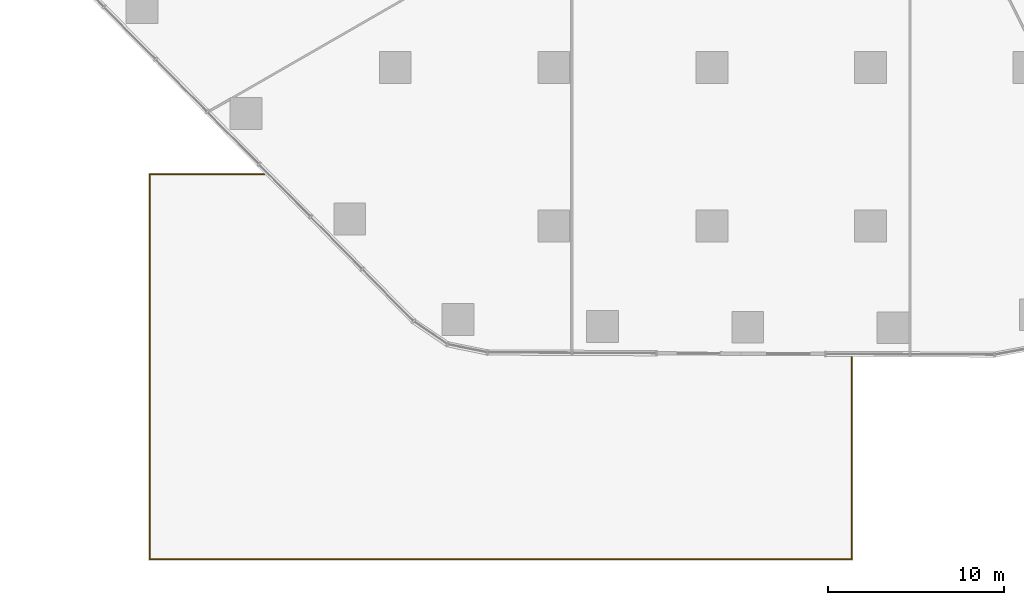
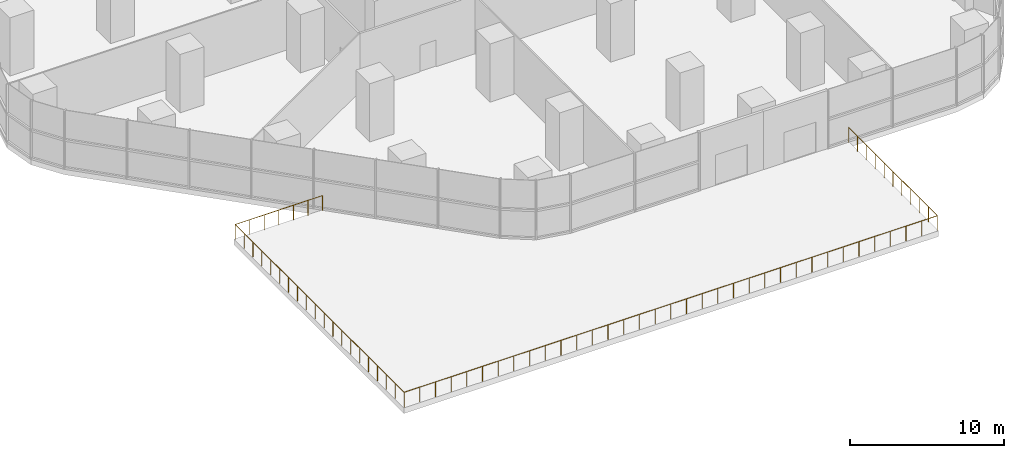
# One storey, part 14 of 15: 1 railing.
"""IFC4 building model written with IfcOpenShell, lengths in metres."""

from ifc_helpers import new_model, si_unit, direction, frame, origin, origin_2d, place, context, subcontext, project, spatial, circle, extrude, material, type_object, element, save


model = new_model("IFC4")

# Units and contexts
model_context = context("Model", 3, precision=1e-05, world=origin(), true_north=direction((0.0, 1.0)))
body_context = subcontext(model_context, "Body", "Model", "MODEL_VIEW")
ifc_project = project(units=[si_unit("LENGTHUNIT", "METRE"), si_unit("AREAUNIT", "SQUARE_METRE"), si_unit("VOLUMEUNIT", "CUBIC_METRE"), si_unit("PLANEANGLEUNIT", "RADIAN"), si_unit("MASSUNIT", "GRAM", prefix="KILO")], contexts=[model_context])

# Site, building, storey
site_placement = place(None, origin())
site = spatial("IfcSite", under=ifc_project, at=site_placement, CompositionType="ELEMENT")
building_placement = place(site_placement, origin())
building = spatial("IfcBuilding", under=site, at=building_placement, Name="Dongbaek Canopy Tower", CompositionType="ELEMENT")
storey_placement = place(building_placement, frame((0.0, 0.0, 33.0)))
storey = spatial("IfcBuildingStorey", under=building, at=storey_placement, Name="L04", CompositionType="ELEMENT", Elevation=33.0)

# Railing
ifc_material = material(Name="Stainless steel", Category="steel")
railing_type = type_object("IfcRailingType", Name="Terrace guard 1200", PredefinedType="GUARDRAIL", material=ifc_material)
railing_placement = place(storey_placement, frame((7.93994140625, -34.43994140625, 0.0)))
element("IfcRailing", 1, at=railing_placement, inside=storey, type_object=railing_type, Name="Terrace guard L04 1", PredefinedType="GUARDRAIL", context=body_context, shape_type="SweptSolid", body=[
    extrude(circle(Radius=0.02392578125, at=origin_2d()), frame((0.0, 0.0, 1.17578125), z_axis=(0.0, -1.0, 0.0), x_axis=(1.0, 0.0, 0.0)), (0.0, 0.0, 1.0), 11.5),
    extrude(circle(Radius=0.02392578125, at=origin_2d()), frame((0.0, -11.5, 1.17578125), z_axis=(-1.0, 0.0, 0.0), x_axis=(0.0, -1.0, 0.0)), (0.0, 0.0, 1.0), 39.8798828125),
    extrude(circle(Radius=0.02392578125, at=origin_2d()), frame((-39.8798828125, -11.5, 1.17578125), z_axis=(0.0, 1.0, 0.0), x_axis=(-1.0, 0.0, 0.0)), (0.0, 0.0, 1.0), 21.8798828125),
    extrude(circle(Radius=0.02392578125, at=origin_2d()), frame((-39.8798828125, 10.3798828125, 1.17578125), z_axis=(1.0, 0.0, 0.0), x_axis=(0.0, 1.0, 0.0)), (0.0, 0.0, 1.0), 6.53271484375),
    extrude(circle(Radius=0.02099609375, at=origin_2d()), origin(), (0.0, 0.0, 1.0), 1.15185546875),
    extrude(circle(Radius=0.02099609375, at=origin_2d()), frame((0.0, -1.14990234375, 0.0)), (0.0, 0.0, 1.0), 1.15185546875),
    extrude(circle(Radius=0.02099609375, at=origin_2d()), frame((0.0, -2.300048828125, 0.0)), (0.0, 0.0, 1.0), 1.15185546875),
    extrude(circle(Radius=0.02099609375, at=origin_2d()), frame((0.0, -3.449951171875, 0.0)), (0.0, 0.0, 1.0), 1.15185546875),
    extrude(circle(Radius=0.02099609375, at=origin_2d()), frame((0.0, -4.60009765625, 0.0)), (0.0, 0.0, 1.0), 1.15185546875),
    extrude(circle(Radius=0.02099609375, at=origin_2d()), frame((0.0, -5.75, 0.0)), (0.0, 0.0, 1.0), 1.15185546875),
    extrude(circle(Radius=0.02099609375, at=origin_2d()), frame((0.0, -6.89990234375, 0.0)), (0.0, 0.0, 1.0), 1.15185546875),
    extrude(circle(Radius=0.02099609375, at=origin_2d()), frame((0.0, -8.050048828125, 0.0)), (0.0, 0.0, 1.0), 1.15185546875),
    extrude(circle(Radius=0.02099609375, at=origin_2d()), frame((0.0, -9.199951171875, 0.0)), (0.0, 0.0, 1.0), 1.15185546875),
    extrude(circle(Radius=0.02099609375, at=origin_2d()), frame((0.0, -10.35009765625, 0.0)), (0.0, 0.0, 1.0), 1.15185546875),
    extrude(circle(Radius=0.02099609375, at=origin_2d()), frame((0.0, -11.5, 0.0)), (0.0, 0.0, 1.0), 1.15185546875),
    extrude(circle(Radius=0.02099609375, at=origin_2d()), frame((-1.1728515625, -11.5, 0.0)), (0.0, 0.0, 1.0), 1.15185546875),
    extrude(circle(Radius=0.02099609375, at=origin_2d()), frame((-2.345947265625, -11.5, 0.0)), (0.0, 0.0, 1.0), 1.15185546875),
    extrude(circle(Radius=0.02099609375, at=origin_2d()), frame((-3.518798828125, -11.5, 0.0)), (0.0, 0.0, 1.0), 1.15185546875),
    extrude(circle(Radius=0.02099609375, at=origin_2d()), frame((-4.691650390625, -11.5, 0.0)), (0.0, 0.0, 1.0), 1.15185546875),
    extrude(circle(Radius=0.02099609375, at=origin_2d()), frame((-5.86474609375, -11.5, 0.0)), (0.0, 0.0, 1.0), 1.15185546875),
    extrude(circle(Radius=0.02099609375, at=origin_2d()), frame((-7.03759765625, -11.5, 0.0)), (0.0, 0.0, 1.0), 1.15185546875),
    extrude(circle(Radius=0.02099609375, at=origin_2d()), frame((-8.21044921875, -11.5, 0.0)), (0.0, 0.0, 1.0), 1.15185546875),
    extrude(circle(Radius=0.02099609375, at=origin_2d()), frame((-9.383544921875, -11.5, 0.0)), (0.0, 0.0, 1.0), 1.15185546875),
    extrude(circle(Radius=0.02099609375, at=origin_2d()), frame((-10.556396484375, -11.5, 0.0)), (0.0, 0.0, 1.0), 1.15185546875),
    extrude(circle(Radius=0.02099609375, at=origin_2d()), frame((-11.7294921875, -11.5, 0.0)), (0.0, 0.0, 1.0), 1.15185546875),
    extrude(circle(Radius=0.02099609375, at=origin_2d()), frame((-12.90234375, -11.5, 0.0)), (0.0, 0.0, 1.0), 1.15185546875),
    extrude(circle(Radius=0.02099609375, at=origin_2d()), frame((-14.0751953125, -11.5, 0.0)), (0.0, 0.0, 1.0), 1.15185546875),
    extrude(circle(Radius=0.02099609375, at=origin_2d()), frame((-15.248291015625, -11.5, 0.0)), (0.0, 0.0, 1.0), 1.15185546875),
    extrude(circle(Radius=0.02099609375, at=origin_2d()), frame((-16.421142578125, -11.5, 0.0)), (0.0, 0.0, 1.0), 1.15185546875),
    extrude(circle(Radius=0.02099609375, at=origin_2d()), frame((-17.593994140625, -11.5, 0.0)), (0.0, 0.0, 1.0), 1.15185546875),
    extrude(circle(Radius=0.02099609375, at=origin_2d()), frame((-18.76708984375, -11.5, 0.0)), (0.0, 0.0, 1.0), 1.15185546875),
    extrude(circle(Radius=0.02099609375, at=origin_2d()), frame((-19.93994140625, -11.5, 0.0)), (0.0, 0.0, 1.0), 1.15185546875),
    extrude(circle(Radius=0.02099609375, at=origin_2d()), frame((-21.11279296875, -11.5, 0.0)), (0.0, 0.0, 1.0), 1.15185546875),
    extrude(circle(Radius=0.02099609375, at=origin_2d()), frame((-22.285888671875, -11.5, 0.0)), (0.0, 0.0, 1.0), 1.15185546875),
    extrude(circle(Radius=0.02099609375, at=origin_2d()), frame((-23.458740234375, -11.5, 0.0)), (0.0, 0.0, 1.0), 1.15185546875),
    extrude(circle(Radius=0.02099609375, at=origin_2d()), frame((-24.631591796875, -11.5, 0.0)), (0.0, 0.0, 1.0), 1.15185546875),
    extrude(circle(Radius=0.02099609375, at=origin_2d()), frame((-25.8046875, -11.5, 0.0)), (0.0, 0.0, 1.0), 1.15185546875),
    extrude(circle(Radius=0.02099609375, at=origin_2d()), frame((-26.9775390625, -11.5, 0.0)), (0.0, 0.0, 1.0), 1.15185546875),
    extrude(circle(Radius=0.02099609375, at=origin_2d()), frame((-28.150390625, -11.5, 0.0)), (0.0, 0.0, 1.0), 1.15185546875),
    extrude(circle(Radius=0.02099609375, at=origin_2d()), frame((-29.323486328125, -11.5, 0.0)), (0.0, 0.0, 1.0), 1.15185546875),
    extrude(circle(Radius=0.02099609375, at=origin_2d()), frame((-30.496337890625, -11.5, 0.0)), (0.0, 0.0, 1.0), 1.15185546875),
    extrude(circle(Radius=0.02099609375, at=origin_2d()), frame((-31.66943359375, -11.5, 0.0)), (0.0, 0.0, 1.0), 1.15185546875),
    extrude(circle(Radius=0.02099609375, at=origin_2d()), frame((-32.84228515625, -11.5, 0.0)), (0.0, 0.0, 1.0), 1.15185546875),
    extrude(circle(Radius=0.02099609375, at=origin_2d()), frame((-34.01513671875, -11.5, 0.0)), (0.0, 0.0, 1.0), 1.15185546875),
    extrude(circle(Radius=0.02099609375, at=origin_2d()), frame((-35.188232421875, -11.5, 0.0)), (0.0, 0.0, 1.0), 1.15185546875),
    extrude(circle(Radius=0.02099609375, at=origin_2d()), frame((-36.361083984375, -11.5, 0.0)), (0.0, 0.0, 1.0), 1.15185546875),
    extrude(circle(Radius=0.02099609375, at=origin_2d()), frame((-37.533935546875, -11.5, 0.0)), (0.0, 0.0, 1.0), 1.15185546875),
    extrude(circle(Radius=0.02099609375, at=origin_2d()), frame((-38.70703125, -11.5, 0.0)), (0.0, 0.0, 1.0), 1.15185546875),
    extrude(circle(Radius=0.02099609375, at=origin_2d()), frame((-39.8798828125, -11.5, 0.0)), (0.0, 0.0, 1.0), 1.15185546875),
    extrude(circle(Radius=0.02099609375, at=origin_2d()), frame((-39.8798828125, -10.348388671875, 0.0)), (0.0, 0.0, 1.0), 1.15185546875),
    extrude(circle(Radius=0.02099609375, at=origin_2d()), frame((-39.8798828125, -9.19677734375, 0.0)), (0.0, 0.0, 1.0), 1.15185546875),
    extrude(circle(Radius=0.02099609375, at=origin_2d()), frame((-39.8798828125, -8.045166015625, 0.0)), (0.0, 0.0, 1.0), 1.15185546875),
    extrude(circle(Radius=0.02099609375, at=origin_2d()), frame((-39.8798828125, -6.893798828125, 0.0)), (0.0, 0.0, 1.0), 1.15185546875),
    extrude(circle(Radius=0.02099609375, at=origin_2d()), frame((-39.8798828125, -5.7421875, 0.0)), (0.0, 0.0, 1.0), 1.15185546875),
    extrude(circle(Radius=0.02099609375, at=origin_2d()), frame((-39.8798828125, -4.590576171875, 0.0)), (0.0, 0.0, 1.0), 1.15185546875),
    extrude(circle(Radius=0.02099609375, at=origin_2d()), frame((-39.8798828125, -3.43896484375, 0.0)), (0.0, 0.0, 1.0), 1.15185546875),
    extrude(circle(Radius=0.02099609375, at=origin_2d()), frame((-39.8798828125, -2.287353515625, 0.0)), (0.0, 0.0, 1.0), 1.15185546875),
    extrude(circle(Radius=0.02099609375, at=origin_2d()), frame((-39.8798828125, -1.1357421875, 0.0)), (0.0, 0.0, 1.0), 1.15185546875),
    extrude(circle(Radius=0.02099609375, at=origin_2d()), frame((-39.8798828125, 0.015625, 0.0)), (0.0, 0.0, 1.0), 1.15185546875),
    extrude(circle(Radius=0.02099609375, at=origin_2d()), frame((-39.8798828125, 1.167236328125, 0.0)), (0.0, 0.0, 1.0), 1.15185546875),
    extrude(circle(Radius=0.02099609375, at=origin_2d()), frame((-39.8798828125, 2.31884765625, 0.0)), (0.0, 0.0, 1.0), 1.15185546875),
    extrude(circle(Radius=0.02099609375, at=origin_2d()), frame((-39.8798828125, 3.470458984375, 0.0)), (0.0, 0.0, 1.0), 1.15185546875),
    extrude(circle(Radius=0.02099609375, at=origin_2d()), frame((-39.8798828125, 4.6220703125, 0.0)), (0.0, 0.0, 1.0), 1.15185546875),
    extrude(circle(Radius=0.02099609375, at=origin_2d()), frame((-39.8798828125, 5.773681640625, 0.0)), (0.0, 0.0, 1.0), 1.15185546875),
    extrude(circle(Radius=0.02099609375, at=origin_2d()), frame((-39.8798828125, 6.925048828125, 0.0)), (0.0, 0.0, 1.0), 1.15185546875),
    extrude(circle(Radius=0.02099609375, at=origin_2d()), frame((-39.8798828125, 8.07666015625, 0.0)), (0.0, 0.0, 1.0), 1.15185546875),
    extrude(circle(Radius=0.02099609375, at=origin_2d()), frame((-39.8798828125, 9.228271484375, 0.0)), (0.0, 0.0, 1.0), 1.15185546875),
    extrude(circle(Radius=0.02099609375, at=origin_2d()), frame((-39.8798828125, 10.3798828125, 0.0)), (0.0, 0.0, 1.0), 1.15185546875),
    extrude(circle(Radius=0.02099609375, at=origin_2d()), frame((-38.791015625, 10.3798828125, 0.0)), (0.0, 0.0, 1.0), 1.15185546875),
    extrude(circle(Radius=0.02099609375, at=origin_2d()), frame((-37.702392578125, 10.3798828125, 0.0)), (0.0, 0.0, 1.0), 1.15185546875),
    extrude(circle(Radius=0.02099609375, at=origin_2d()), frame((-36.613525390625, 10.3798828125, 0.0)), (0.0, 0.0, 1.0), 1.15185546875),
    extrude(circle(Radius=0.02099609375, at=origin_2d()), frame((-35.524658203125, 10.3798828125, 0.0)), (0.0, 0.0, 1.0), 1.15185546875),
    extrude(circle(Radius=0.02099609375, at=origin_2d()), frame((-34.43603515625, 10.3798828125, 0.0)), (0.0, 0.0, 1.0), 1.15185546875),
    extrude(circle(Radius=0.02099609375, at=origin_2d()), frame((-33.34716796875, 10.3798828125, 0.0)), (0.0, 0.0, 1.0), 1.15185546875),
])

save(model, "model.ifc")
